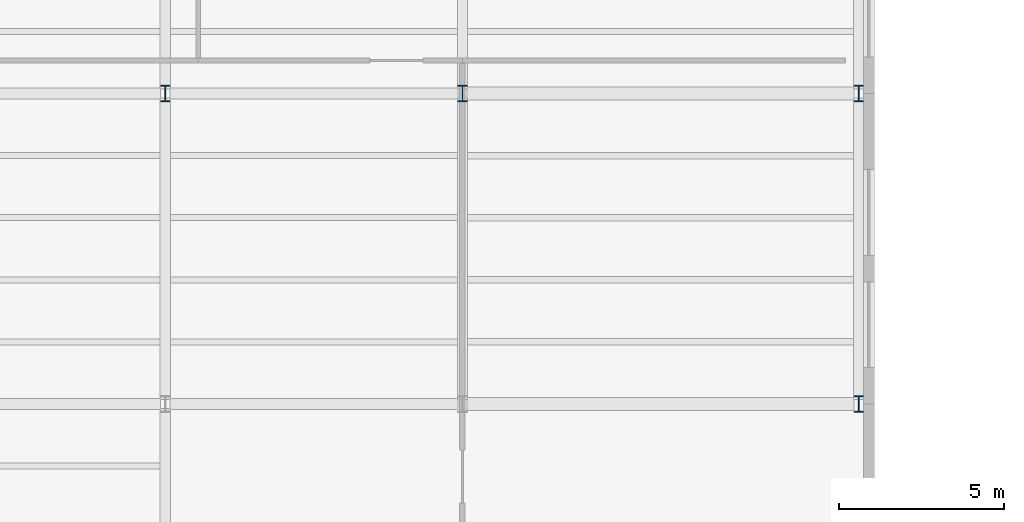
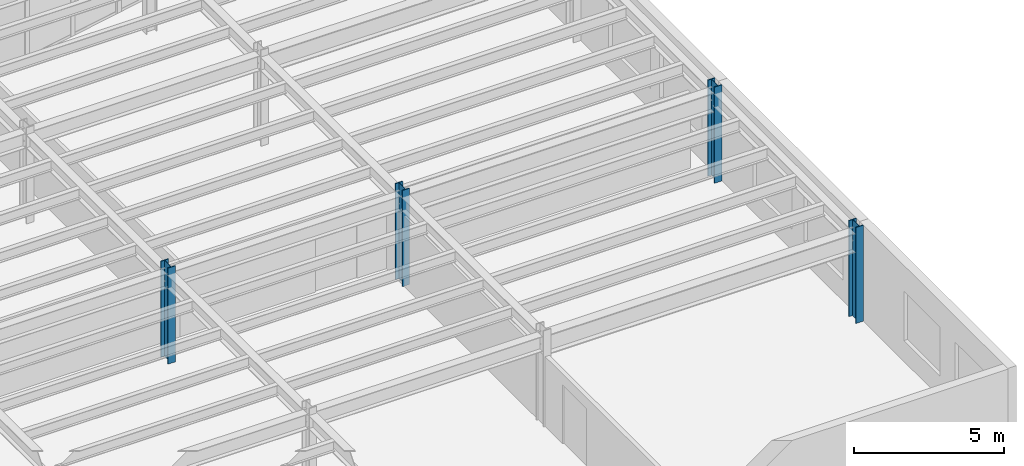
# One storey, part 8 of 59: 4 columns.
"""IFC4 building model written with IfcOpenShell, lengths in metres."""

import ifcopenshell
import ifcopenshell.guid

model = None  # the IFC model being written
_history = None  # IfcOwnerHistory: only IFC2X3 demands one
_inside = {}  # id of a spatial element -> (the spatial element, [elements in it])
_under = {}  # id of a project, library or spatial element -> (it, [spatial elements below it])
_declared = {}  # id of a project -> (the project, [libraries it declares])
_typed = {}  # id of a type object -> (the type object, [elements of that type])
_made_of = {}  # id of a material, layer set ... -> (it, [elements and type objects made of it])


def new_model(schema):
    """Start an empty IFC model of exactly this schema.

    Asked for "IFC4X3", IfcOpenShell would pick the latest addendum, in which some entities
    have other attributes; the version numbers below select the first issue.
    IFC2X3 requires an IfcOwnerHistory on every rooted entity: one is made here for all.
    """
    global model, _history
    if schema == "IFC4X3":
        model = ifcopenshell.file(schema_version=(4, 3, 0, 0))
    else:
        model = ifcopenshell.file(schema=schema)
    _inside.clear()
    _under.clear()
    _declared.clear()
    _typed.clear()
    _made_of.clear()
    _history = None
    if model.schema == "IFC2X3":
        org = make("IfcOrganization", Name="unknown")
        user = make(
            "IfcPersonAndOrganization",
            ThePerson=make("IfcPerson", FamilyName="unknown"),
            TheOrganization=org,
        )
        app = make(
            "IfcApplication",
            ApplicationDeveloper=org,
            Version="unknown",
            ApplicationFullName="unknown",
            ApplicationIdentifier="unknown",
        )
        _history = make(
            "IfcOwnerHistory",
            OwningUser=user,
            OwningApplication=app,
            ChangeAction="ADDED",
            CreationDate=0,
        )
    return model


def make(cls, **values):
    """One entity of the class cls with the attributes given. An attribute that is None is left unset."""
    return model.create_entity(
        cls, **{name: value for name, value in values.items() if value is not None}
    )


def rooted(cls, **values):
    """An entity with a GlobalId (a new one), such as an element, a storey or a relation."""
    return make(cls, GlobalId=ifcopenshell.guid.new(), OwnerHistory=_history, **values)


def si_unit(unit_type, name, prefix=None):
    """IfcSIUnit, for example si_unit("LENGTHUNIT", "METRE", prefix="MILLI")."""
    return make("IfcSIUnit", UnitType=unit_type, Prefix=prefix, Name=name)


def assignment(units):
    """IfcUnitAssignment: the units of a project."""
    return None if units is None else make("IfcUnitAssignment", Units=units)


def point(xyz):
    """IfcCartesianPoint."""
    return None if xyz is None else make("IfcCartesianPoint", Coordinates=xyz)


def direction(xyz):
    """IfcDirection."""
    return None if xyz is None else make("IfcDirection", DirectionRatios=xyz)


def frame(location, z_axis=None, x_axis=None):
    """IfcAxis2Placement3D, a coordinate frame: its origin and axes. An axis left out is left unset."""
    return make(
        "IfcAxis2Placement3D",
        Location=point(location),
        Axis=direction(z_axis),
        RefDirection=direction(x_axis),
    )


def frame_2d(location, x_axis=None):
    """IfcAxis2Placement2D, a coordinate frame in the plane: its origin and x axis."""
    return make(
        "IfcAxis2Placement2D", Location=point(location), RefDirection=direction(x_axis)
    )


def origin():
    """The frame at (0, 0, 0) with its axes left unset."""
    return frame((0.0, 0.0, 0.0))


def origin_2d():
    """The frame at (0, 0) in the plane with its x axis left unset."""
    return frame_2d((0.0, 0.0))


def place(relative_to, where):
    """IfcLocalPlacement: puts the frame where relative to a parent placement (None: the world)."""
    return make(
        "IfcLocalPlacement", PlacementRelTo=relative_to, RelativePlacement=where
    )


def context(
    kind, dimensions, precision=None, world=None, true_north=None, identifier=None
):
    """IfcGeometricRepresentationContext, for example the 3D "Model" context."""
    return make(
        "IfcGeometricRepresentationContext",
        ContextIdentifier=identifier,
        ContextType=kind,
        CoordinateSpaceDimension=dimensions,
        Precision=precision,
        WorldCoordinateSystem=world,
        TrueNorth=true_north,
    )


def subcontext(parent, identifier, kind, view, scale=None):
    """IfcGeometricRepresentationSubContext, for example "Body" below "Model"."""
    return make(
        "IfcGeometricRepresentationSubContext",
        ContextIdentifier=identifier,
        ContextType=kind,
        ParentContext=parent,
        TargetScale=scale,
        TargetView=view,
    )


def project(units=None, contexts=None):
    """IfcProject with its units and contexts."""
    return rooted(
        "IfcProject",
        Name="project",
        RepresentationContexts=contexts,
        UnitsInContext=assignment(units),
    )


def spatial(cls, under=None, at=None, **own):
    """A site, building, storey or space (cls), placed at a placement, below another one or the project."""
    s = rooted(cls, ObjectPlacement=at, **own)
    if under is not None:
        _under.setdefault(under.id(), (under, []))[1].append(s)
    return s


def profile(cls, at=None, kind="AREA", **sizes):
    """A parametric profile (cls). Its sizes go by their IFC names, for example OverallWidth=200.0."""
    return make(cls, ProfileType=kind, Position=at, **sizes)


def i_section(**sizes):
    """IfcIShapeProfileDef."""
    return profile("IfcIShapeProfileDef", **sizes)


def extrude(swept, where, along, depth):
    """IfcExtrudedAreaSolid: the profile swept, set in the frame where, extruded along a direction by depth."""
    return make(
        "IfcExtrudedAreaSolid",
        SweptArea=swept,
        Position=where,
        ExtrudedDirection=direction(along),
        Depth=depth,
    )


def shape(context_of_items, identifier, shape_type, items):
    """IfcShapeRepresentation: the items that make up one representation, for example the "Body"."""
    return make(
        "IfcShapeRepresentation",
        ContextOfItems=context_of_items,
        RepresentationIdentifier=identifier,
        RepresentationType=shape_type,
        Items=items,
    )


def material(Name=None, Category=None):
    """IfcMaterial."""
    return make("IfcMaterial", Name=Name, Category=Category)


def material_profile(
    of_material, cross_section, Name=None, Category=None, Priority=None
):
    """IfcMaterialProfile: a cross section and its material."""
    return make(
        "IfcMaterialProfile",
        Name=Name,
        Material=of_material,
        Profile=cross_section,
        Priority=Priority,
        Category=Category,
    )


def profile_set(profiles, Name=None, composite=None):
    """IfcMaterialProfileSet."""
    return make(
        "IfcMaterialProfileSet",
        Name=Name,
        MaterialProfiles=profiles,
        CompositeProfile=composite,
    )


def made_of(thing, what):
    """Note that an element or type object is made of a material, layer set ...; save() writes the relation."""
    if what is not None:
        _made_of.setdefault(what.id(), (what, []))[1].append(thing)
    return thing


def type_object(cls, material=None, **own):
    """A type object (cls), such as IfcWallType, which elements share."""
    return made_of(rooted(cls, **own), material)


def element(
    cls,
    number,
    at=None,
    inside=None,
    cuts=None,
    type_object=None,
    material=None,
    context=None,
    identifier="Body",
    shape_type=None,
    held_by="IfcProductDefinitionShape",
    body=None,
    shapes=None,
    **own,
):
    """One element of the class cls, such as IfcWall. Its Tag is "e" and its number.

    at: its placement. inside: the storey or other place that contains it. cuts: it is an
    opening in that element (IfcRelVoidsElement). A single representation is given by context,
    identifier, shape_type and body (its items); several are given by shapes. held_by: the class
    of the entity that holds the representations. save() writes the other relations.
    """
    e = rooted(cls, Tag="e%d" % number, ObjectPlacement=at, **own)
    if body is not None:
        shapes = [shape(context, identifier, shape_type, body)]
    if shapes is not None:
        e.Representation = make(held_by, Representations=shapes)
    if inside is not None:
        _inside.setdefault(inside.id(), (inside, []))[1].append(e)
    if cuts is not None:
        rooted(
            "IfcRelVoidsElement", RelatingBuildingElement=cuts, RelatedOpeningElement=e
        )
    if type_object is not None:
        _typed.setdefault(type_object.id(), (type_object, []))[1].append(e)
    return made_of(e, material)


def aggregate(whole, parts):
    """IfcRelAggregates: a whole, such as a stair, and the parts it consists of."""
    return rooted("IfcRelAggregates", RelatingObject=whole, RelatedObjects=parts)


def save(model, path):
    """Write the relations noted so far, then the file.

    IfcRelAggregates (storeys below a building ...), IfcRelContainedInSpatialStructure (elements
    in a storey), IfcRelDefinesByType, IfcRelAssociatesMaterial and IfcRelDeclares: one each for
    every whole, place, type object, material and project.
    """
    for whole, parts in _under.values():
        aggregate(whole, parts)
    for where, things in _inside.values():
        rooted(
            "IfcRelContainedInSpatialStructure",
            RelatedElements=things,
            RelatingStructure=where,
        )
    for kind, things in _typed.values():
        rooted("IfcRelDefinesByType", RelatedObjects=things, RelatingType=kind)
    for what, things in _made_of.values():
        rooted("IfcRelAssociatesMaterial", RelatedObjects=things, RelatingMaterial=what)
    for by, libraries in _declared.values():
        rooted("IfcRelDeclares", RelatingContext=by, RelatedDefinitions=libraries)
    model.write(path)


model = new_model("IFC4")

# Units and contexts
model_context = context("Model", 3, precision=1e-05, world=origin(), true_north=direction((0.0, 1.0)))
body_context = subcontext(model_context, "Body", "Model", "MODEL_VIEW")
ifc_project = project(units=[si_unit("LENGTHUNIT", "METRE"), si_unit("AREAUNIT", "SQUARE_METRE"), si_unit("VOLUMEUNIT", "CUBIC_METRE"), si_unit("PLANEANGLEUNIT", "RADIAN"), si_unit("MASSUNIT", "GRAM", prefix="KILO")], contexts=[model_context])

# Site, building, storey
site_placement = place(None, origin())
site = spatial("IfcSite", under=ifc_project, at=site_placement, CompositionType="ELEMENT")
building_placement = place(site_placement, origin())
building = spatial("IfcBuilding", under=site, at=building_placement, Name="Sollismere Congress Hotel", CompositionType="ELEMENT")
storey_placement = place(building_placement, frame((0.0, 0.0, 15.60009765625)))
storey = spatial("IfcBuildingStorey", under=building, at=storey_placement, Name="L03", CompositionType="ELEMENT", Elevation=15.60009765625)

# Columns
ifc_material = material(Name="Steel ASTM A992 Grade 50", Category="steel")
ifc_material_profile = material_profile(ifc_material, i_section(OverallWidth=0.283935546875, OverallDepth=0.4951171875, WebThickness=0.0185546875, FlangeThickness=0.033447265625, at=origin_2d()), Name="W18X143")
ifc_profile_set = profile_set([ifc_material_profile], Name="Steel ASTM A992 Grade 50")
column_type = type_object("IfcColumnType", Name="COL-W18", PredefinedType="COLUMN", material=ifc_profile_set)
for number, where, z_axis, x_axis, name in (
    (1, (103.0, 85.60009765625, 0.0), (0.0, 0.0, 1.0), (1.0, 0.0, 0.0), "Column CL-L03-557"),
    (2, (112.0, 85.60009765625, 0.0), (0.0, 0.0, 1.0), (1.0, 0.0, 0.0), "Column CL-L03-635"),
    (3, (124.0, 76.199951171875, 0.0), (0.0, 0.0, 1.0), (1.0, 0.0, 0.0), "Column CL-L03-711"),
    (4, (124.0, 85.60009765625, 0.0), (0.0, 0.0, 1.0), (1.0, 0.0, 0.0), "Column CL-L03-717"),
):
    element("IfcColumn", number, at=place(storey_placement, frame(where, z_axis=z_axis, x_axis=x_axis)), inside=storey, type_object=column_type, Name=name, PredefinedType="COLUMN", context=body_context, shape_type="SweptSolid", body=[
        extrude(i_section(OverallWidth=0.283935546875, OverallDepth=0.4951171875, WebThickness=0.0185546875, FlangeThickness=0.033447265625, at=origin_2d()), origin(), (0.0, 0.0, 1.0), 3.89990234375),
    ])

save(model, "model.ifc")
